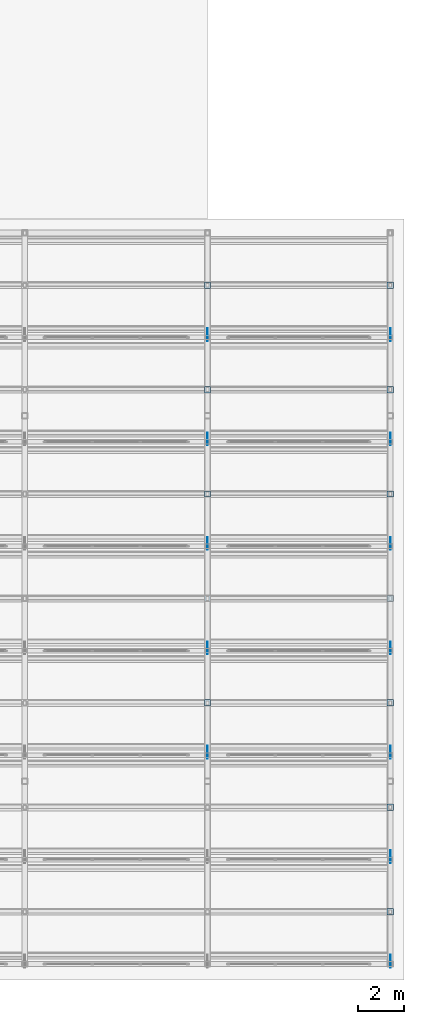
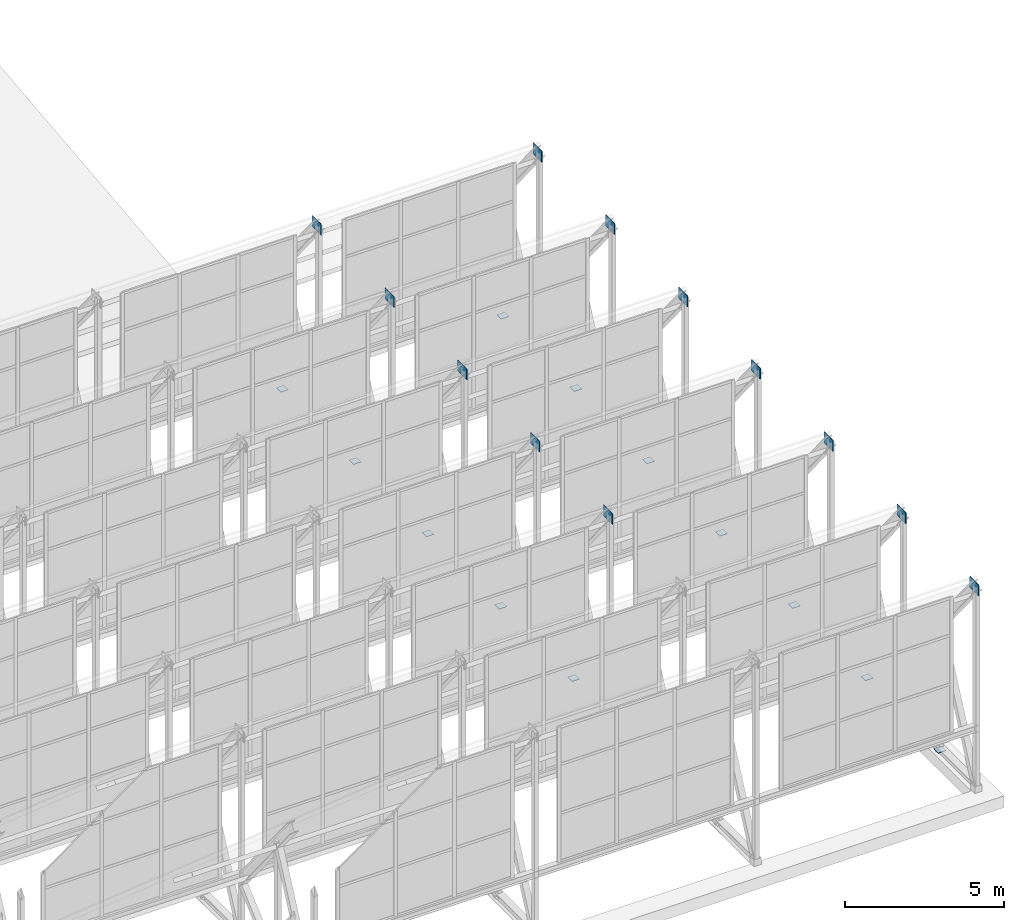
# One storey, part 32 of 34: 24 plates.
"""IFC4 building model written with IfcOpenShell, lengths in metres."""

from ifc_helpers import new_model, si_unit, direction, frame, origin, origin_2d, place, context, subcontext, project, spatial, rectangle, extrude, material, layer, layer_set, type_object, element, save


model = new_model("IFC4")

# Units and contexts
model_context = context("Model", 3, precision=1e-05, world=origin(), true_north=direction((0.0, 1.0)))
body_context = subcontext(model_context, "Body", "Model", "MODEL_VIEW")
ifc_project = project(units=[si_unit("LENGTHUNIT", "METRE"), si_unit("AREAUNIT", "SQUARE_METRE"), si_unit("VOLUMEUNIT", "CUBIC_METRE"), si_unit("PLANEANGLEUNIT", "RADIAN"), si_unit("MASSUNIT", "GRAM", prefix="KILO")], contexts=[model_context])

# Site, building, storey
site_placement = place(None, origin())
site = spatial("IfcSite", under=ifc_project, at=site_placement, CompositionType="ELEMENT")
building_placement = place(site_placement, origin())
building = spatial("IfcBuilding", under=site, at=building_placement, Name="Qorikala Patio Media Centre", CompositionType="ELEMENT")
storey_placement = place(building_placement, frame((0.0, 0.0, 32.699951171875)))
storey = spatial("IfcBuildingStorey", under=building, at=storey_placement, Name="RF", CompositionType="ELEMENT", Elevation=32.699951171875)

# Plates
ifc_material_1 = material(Name="Steel S355", Category="steel")
ifc_layer_1 = layer(ifc_material_1, 0.02392578125)
ifc_layer_set_1 = layer_set([ifc_layer_1], Name="Steel S355")
plate_type_1 = type_object("IfcPlateType", Name="PL-ND-01", PredefinedType="USERDEFINED", material=ifc_layer_set_1)
for number, where, z_axis, x_axis, name in (
    (1, (35.0, 16.834228515625, 7.739990234375), (0.0, 0.0, 1.0), (1.0, 0.0, 0.0), "SAW-V1 Node Gusset Plate ND-01"),
    (2, (43.0, 3.1201171875, 7.739990234375), (0.0, 0.0, 1.0), (1.0, 0.0, 0.0), "SAW-V1 Node Gusset Plate ND-01"),
    (3, (43.0, 21.40576171875, 7.739990234375), (0.0, 0.0, 1.0), (1.0, 0.0, 0.0), "SAW-V1 Node Gusset Plate ND-01"),
):
    element("IfcPlate", number, at=place(storey_placement, frame(where, z_axis=z_axis, x_axis=x_axis)), inside=storey, type_object=plate_type_1, Name=name, ObjectType="GUSSET PLATE", PredefinedType="USERDEFINED", context=body_context, shape_type="SweptSolid", body=[
        extrude(rectangle(XDim=0.02392578125, YDim=0.56005859375, at=origin_2d()), origin(), (0.0, 0.0, 1.0), 0.419921875),
    ])
ifc_layer_2 = layer(ifc_material_1, 0.02392578125)
ifc_layer_set_2 = layer_set([ifc_layer_2], Name="Steel S355")
plate_type_2 = type_object("IfcPlateType", Name="PL-ND-02", PredefinedType="USERDEFINED", material=ifc_layer_set_2)
for number, where, z_axis, x_axis, name in (
    (4, (35.0, 21.40576171875, 7.739990234375), (0.0, 0.0, 1.0), (1.0, 0.0, 0.0), "SAW-V1 Node Gusset Plate ND-02"),
    (5, (43.0, 7.69140625, 7.739990234375), (0.0, 0.0, 1.0), (1.0, 0.0, 0.0), "SAW-V1 Node Gusset Plate ND-02"),
    (6, (43.0, 25.97705078125, 7.739990234375), (0.0, 0.0, 1.0), (1.0, 0.0, 0.0), "SAW-V1 Node Gusset Plate ND-02"),
):
    element("IfcPlate", number, at=place(storey_placement, frame(where, z_axis=z_axis, x_axis=x_axis)), inside=storey, type_object=plate_type_2, Name=name, ObjectType="GUSSET PLATE", PredefinedType="USERDEFINED", context=body_context, shape_type="SweptSolid", body=[
        extrude(rectangle(XDim=0.02392578125, YDim=0.56005859375, at=origin_2d()), origin(), (0.0, 0.0, 1.0), 0.419921875),
    ])
ifc_layer_3 = layer(ifc_material_1, 0.02001953125)
ifc_layer_set_3 = layer_set([ifc_layer_3], Name="Steel S355")
plate_type_3 = type_object("IfcPlateType", Name="PL-ND-03", PredefinedType="USERDEFINED", material=ifc_layer_set_3)
for number, where, z_axis, x_axis, name in (
    (7, (35.0, 25.97705078125, 7.739990234375), (0.0, 0.0, 1.0), (1.0, 0.0, 0.0), "SAW-V1 Node Gusset Plate ND-03"),
    (8, (43.0, 12.262939453125, 7.739990234375), (0.0, 0.0, 1.0), (1.0, 0.0, 0.0), "SAW-V1 Node Gusset Plate ND-03"),
    (9, (43.0, 30.548583984375, 7.739990234375), (0.0, 0.0, 1.0), (1.0, 0.0, 0.0), "SAW-V1 Node Gusset Plate ND-03"),
):
    element("IfcPlate", number, at=place(storey_placement, frame(where, z_axis=z_axis, x_axis=x_axis)), inside=storey, type_object=plate_type_3, Name=name, ObjectType="GUSSET PLATE", PredefinedType="USERDEFINED", context=body_context, shape_type="SweptSolid", body=[
        extrude(rectangle(XDim=0.02392578125, YDim=0.56005859375, at=origin_2d()), origin(), (0.0, 0.0, 1.0), 0.419921875),
    ])
ifc_layer_4 = layer(ifc_material_1, 0.02001953125)
ifc_layer_set_4 = layer_set([ifc_layer_4], Name="Steel S355")
plate_type_4 = type_object("IfcPlateType", Name="PL-ND-04", PredefinedType="USERDEFINED", material=ifc_layer_set_4)
for number, where, z_axis, x_axis, name in (
    (10, (35.0, 12.262939453125, 7.739990234375), (0.0, 0.0, 1.0), (1.0, 0.0, 0.0), "SAW-V1 Node Gusset Plate ND-04"),
    (11, (35.0, 30.548583984375, 7.739990234375), (0.0, 0.0, 1.0), (1.0, 0.0, 0.0), "SAW-V1 Node Gusset Plate ND-04"),
    (12, (43.0, 16.834228515625, 7.739990234375), (0.0, 0.0, 1.0), (1.0, 0.0, 0.0), "SAW-V1 Node Gusset Plate ND-04"),
):
    element("IfcPlate", number, at=place(storey_placement, frame(where, z_axis=z_axis, x_axis=x_axis)), inside=storey, type_object=plate_type_4, Name=name, ObjectType="GUSSET PLATE", PredefinedType="USERDEFINED", context=body_context, shape_type="SweptSolid", body=[
        extrude(rectangle(XDim=0.02392578125, YDim=0.56005859375, at=origin_2d()), origin(), (0.0, 0.0, 1.0), 0.419921875),
    ])
ifc_layer_5 = layer(ifc_material_1, 0.01611328125)
ifc_layer_set_5 = layer_set([ifc_layer_5], Name="Steel S355")
plate_type_5 = type_object("IfcPlateType", Name="PL-ND-05", PredefinedType="SHEET", material=ifc_layer_set_5)
for number, where, z_axis, x_axis, name in (
    (13, (35.0, 19.0, 0.362060546875), (0.0, 0.0, 1.0), (1.0, 0.0, 0.0), "SAW-V1 Hollow Strut End Cap Plate ND-05"),
    (14, (43.0, 5.28564453125, 0.362060546875), (0.0, 0.0, 1.0), (1.0, 0.0, 0.0), "SAW-V1 Hollow Strut End Cap Plate ND-05"),
    (15, (43.0, 23.5712890625, 0.362060546875), (0.0, 0.0, 1.0), (1.0, 0.0, 0.0), "SAW-V1 Hollow Strut End Cap Plate ND-05"),
):
    element("IfcPlate", number, at=place(storey_placement, frame(where, z_axis=z_axis, x_axis=x_axis)), inside=storey, type_object=plate_type_5, Name=name, PredefinedType="SHEET", context=body_context, shape_type="SweptSolid", body=[
        extrude(rectangle(XDim=0.280029296875, YDim=0.280029296875, at=origin_2d()), origin(), (0.0, 0.0, 1.0), 0.01611328125),
    ])
ifc_material_2 = material(Name="Golden Bronze Coated Steel S355", Category="steel")
ifc_layer_6 = layer(ifc_material_2, 0.01611328125)
ifc_layer_set_6 = layer_set([ifc_layer_6], Name="Golden Bronze Coated Steel S355")
plate_type_6 = type_object("IfcPlateType", Name="PL-ND-06", PredefinedType="SHEET", material=ifc_layer_set_6)
for number, where, z_axis, x_axis, name in (
    (16, (35.0, 23.5712890625, 0.362060546875), (0.0, 0.0, 1.0), (1.0, 0.0, 0.0), "SAW-V1 Hollow Strut End Cap Plate ND-06"),
    (17, (43.0, 9.857177734375, 0.362060546875), (0.0, 0.0, 1.0), (1.0, 0.0, 0.0), "SAW-V1 Hollow Strut End Cap Plate ND-06"),
    (18, (43.0, 28.142822265625, 0.362060546875), (0.0, 0.0, 1.0), (1.0, 0.0, 0.0), "SAW-V1 Hollow Strut End Cap Plate ND-06"),
):
    element("IfcPlate", number, at=place(storey_placement, frame(where, z_axis=z_axis, x_axis=x_axis)), inside=storey, type_object=plate_type_6, Name=name, PredefinedType="SHEET", context=body_context, shape_type="SweptSolid", body=[
        extrude(rectangle(XDim=0.280029296875, YDim=0.280029296875, at=origin_2d()), origin(), (0.0, 0.0, 1.0), 0.01611328125),
    ])
ifc_layer_7 = layer(ifc_material_1, 0.013916015625)
ifc_layer_set_7 = layer_set([ifc_layer_7], Name="Steel S355")
plate_type_7 = type_object("IfcPlateType", Name="PL-ND-07", PredefinedType="SHEET", material=ifc_layer_set_7)
for number, where, z_axis, x_axis, name in (
    (19, (35.0, 28.142822265625, 0.362060546875), (0.0, 0.0, 1.0), (1.0, 0.0, 0.0), "SAW-V1 Hollow Strut End Cap Plate ND-07"),
    (20, (43.0, 14.4287109375, 0.362060546875), (0.0, 0.0, 1.0), (1.0, 0.0, 0.0), "SAW-V1 Hollow Strut End Cap Plate ND-07"),
    (21, (43.0, 32.71435546875, 0.362060546875), (0.0, 0.0, 1.0), (1.0, 0.0, 0.0), "SAW-V1 Hollow Strut End Cap Plate ND-07"),
):
    element("IfcPlate", number, at=place(storey_placement, frame(where, z_axis=z_axis, x_axis=x_axis)), inside=storey, type_object=plate_type_7, Name=name, PredefinedType="SHEET", context=body_context, shape_type="SweptSolid", body=[
        extrude(rectangle(XDim=0.280029296875, YDim=0.280029296875, at=origin_2d()), origin(), (0.0, 0.0, 1.0), 0.01611328125),
    ])
ifc_layer_8 = layer(ifc_material_1, 0.011962890625)
ifc_layer_set_8 = layer_set([ifc_layer_8], Name="Steel S355")
plate_type_8 = type_object("IfcPlateType", Name="PL-ND-08", PredefinedType="SHEET", material=ifc_layer_set_8)
for number, where, z_axis, x_axis, name in (
    (22, (35.0, 14.4287109375, 0.362060546875), (0.0, 0.0, 1.0), (1.0, 0.0, 0.0), "SAW-V1 Hollow Strut End Cap Plate ND-08"),
    (23, (35.0, 32.71435546875, 0.362060546875), (0.0, 0.0, 1.0), (1.0, 0.0, 0.0), "SAW-V1 Hollow Strut End Cap Plate ND-08"),
    (24, (43.0, 19.0, 0.362060546875), (0.0, 0.0, 1.0), (1.0, 0.0, 0.0), "SAW-V1 Hollow Strut End Cap Plate ND-08"),
):
    element("IfcPlate", number, at=place(storey_placement, frame(where, z_axis=z_axis, x_axis=x_axis)), inside=storey, type_object=plate_type_8, Name=name, PredefinedType="SHEET", context=body_context, shape_type="SweptSolid", body=[
        extrude(rectangle(XDim=0.280029296875, YDim=0.280029296875, at=origin_2d()), origin(), (0.0, 0.0, 1.0), 0.01611328125),
    ])

save(model, "model.ifc")
